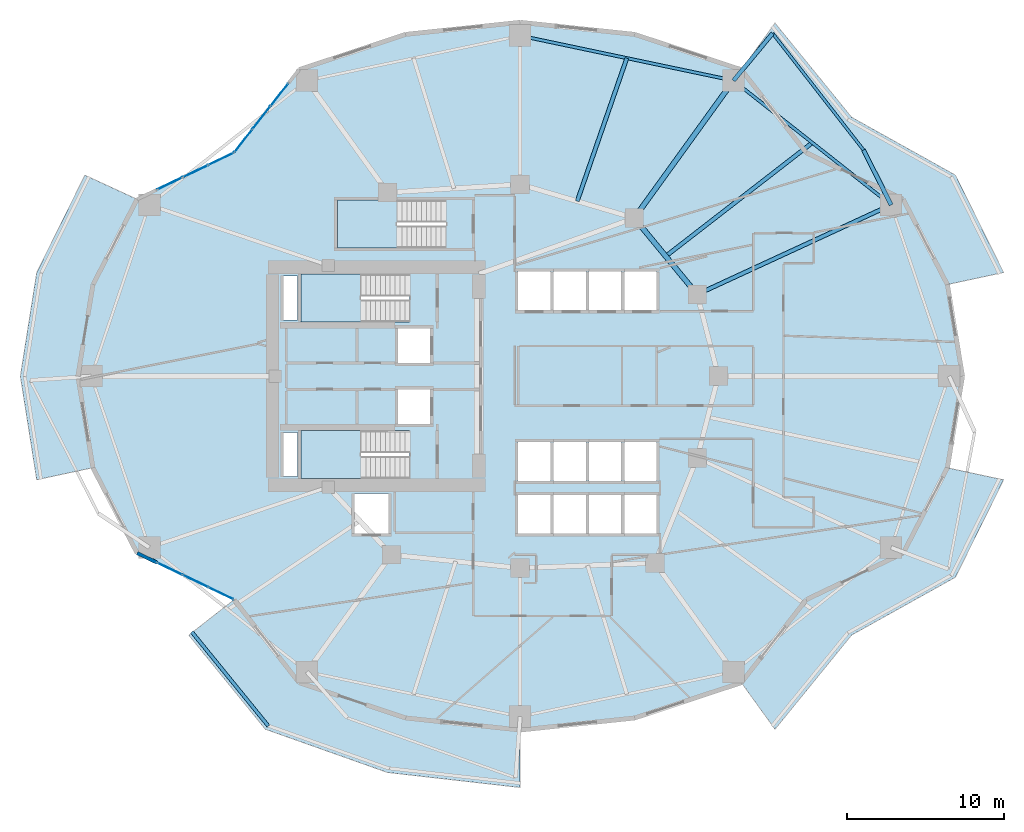
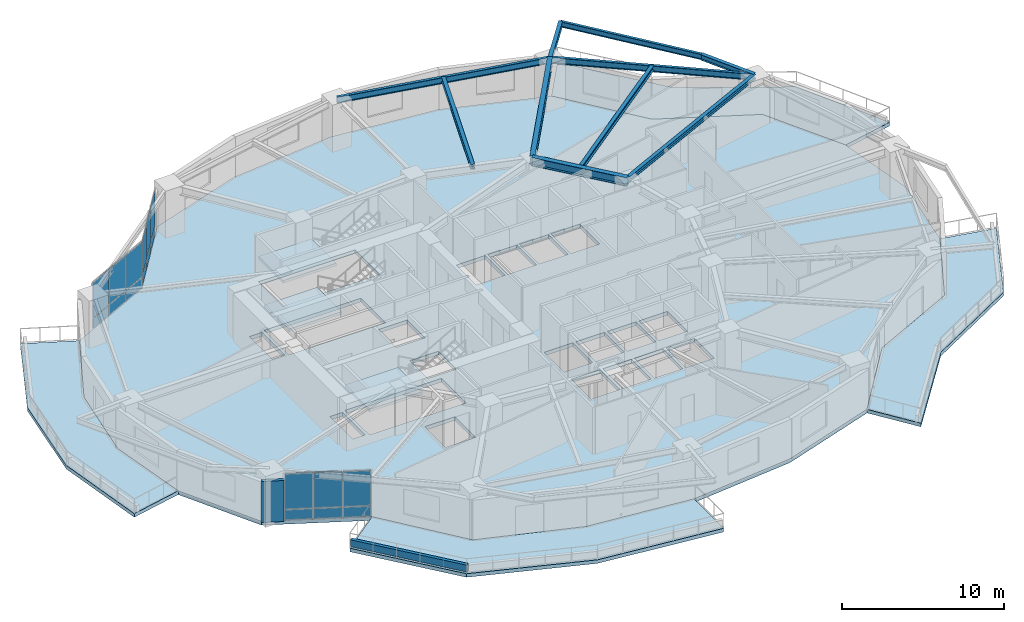
# One storey, part 5 of 14: 21 plates, 10 beams, 8 slabs, 2 walls, 6 elements without a shape of their own.
"""IFC4 building model written with IfcOpenShell, lengths in metres."""

import ifcopenshell
import ifcopenshell.guid

model = None  # the IFC model being written
_history = None  # IfcOwnerHistory: only IFC2X3 demands one
_inside = {}  # id of a spatial element -> (the spatial element, [elements in it])
_under = {}  # id of a project, library or spatial element -> (it, [spatial elements below it])
_declared = {}  # id of a project -> (the project, [libraries it declares])
_typed = {}  # id of a type object -> (the type object, [elements of that type])
_made_of = {}  # id of a material, layer set ... -> (it, [elements and type objects made of it])


def new_model(schema):
    """Start an empty IFC model of exactly this schema.

    Asked for "IFC4X3", IfcOpenShell would pick the latest addendum, in which some entities
    have other attributes; the version numbers below select the first issue.
    IFC2X3 requires an IfcOwnerHistory on every rooted entity: one is made here for all.
    """
    global model, _history
    if schema == "IFC4X3":
        model = ifcopenshell.file(schema_version=(4, 3, 0, 0))
    else:
        model = ifcopenshell.file(schema=schema)
    _inside.clear()
    _under.clear()
    _declared.clear()
    _typed.clear()
    _made_of.clear()
    _history = None
    if model.schema == "IFC2X3":
        org = make("IfcOrganization", Name="unknown")
        user = make(
            "IfcPersonAndOrganization",
            ThePerson=make("IfcPerson", FamilyName="unknown"),
            TheOrganization=org,
        )
        app = make(
            "IfcApplication",
            ApplicationDeveloper=org,
            Version="unknown",
            ApplicationFullName="unknown",
            ApplicationIdentifier="unknown",
        )
        _history = make(
            "IfcOwnerHistory",
            OwningUser=user,
            OwningApplication=app,
            ChangeAction="ADDED",
            CreationDate=0,
        )
    return model


def make(cls, **values):
    """One entity of the class cls with the attributes given. An attribute that is None is left unset."""
    return model.create_entity(
        cls, **{name: value for name, value in values.items() if value is not None}
    )


def rooted(cls, **values):
    """An entity with a GlobalId (a new one), such as an element, a storey or a relation."""
    return make(cls, GlobalId=ifcopenshell.guid.new(), OwnerHistory=_history, **values)


def si_unit(unit_type, name, prefix=None):
    """IfcSIUnit, for example si_unit("LENGTHUNIT", "METRE", prefix="MILLI")."""
    return make("IfcSIUnit", UnitType=unit_type, Prefix=prefix, Name=name)


def assignment(units):
    """IfcUnitAssignment: the units of a project."""
    return None if units is None else make("IfcUnitAssignment", Units=units)


def point(xyz):
    """IfcCartesianPoint."""
    return None if xyz is None else make("IfcCartesianPoint", Coordinates=xyz)


def direction(xyz):
    """IfcDirection."""
    return None if xyz is None else make("IfcDirection", DirectionRatios=xyz)


def frame(location, z_axis=None, x_axis=None):
    """IfcAxis2Placement3D, a coordinate frame: its origin and axes. An axis left out is left unset."""
    return make(
        "IfcAxis2Placement3D",
        Location=point(location),
        Axis=direction(z_axis),
        RefDirection=direction(x_axis),
    )


def frame_2d(location, x_axis=None):
    """IfcAxis2Placement2D, a coordinate frame in the plane: its origin and x axis."""
    return make(
        "IfcAxis2Placement2D", Location=point(location), RefDirection=direction(x_axis)
    )


def origin():
    """The frame at (0, 0, 0) with its axes left unset."""
    return frame((0.0, 0.0, 0.0))


def origin_2d():
    """The frame at (0, 0) in the plane with its x axis left unset."""
    return frame_2d((0.0, 0.0))


def place(relative_to, where):
    """IfcLocalPlacement: puts the frame where relative to a parent placement (None: the world)."""
    return make(
        "IfcLocalPlacement", PlacementRelTo=relative_to, RelativePlacement=where
    )


def context(
    kind, dimensions, precision=None, world=None, true_north=None, identifier=None
):
    """IfcGeometricRepresentationContext, for example the 3D "Model" context."""
    return make(
        "IfcGeometricRepresentationContext",
        ContextIdentifier=identifier,
        ContextType=kind,
        CoordinateSpaceDimension=dimensions,
        Precision=precision,
        WorldCoordinateSystem=world,
        TrueNorth=true_north,
    )


def subcontext(parent, identifier, kind, view, scale=None):
    """IfcGeometricRepresentationSubContext, for example "Body" below "Model"."""
    return make(
        "IfcGeometricRepresentationSubContext",
        ContextIdentifier=identifier,
        ContextType=kind,
        ParentContext=parent,
        TargetScale=scale,
        TargetView=view,
    )


def project(units=None, contexts=None):
    """IfcProject with its units and contexts."""
    return rooted(
        "IfcProject",
        Name="project",
        RepresentationContexts=contexts,
        UnitsInContext=assignment(units),
    )


def spatial(cls, under=None, at=None, **own):
    """A site, building, storey or space (cls), placed at a placement, below another one or the project."""
    s = rooted(cls, ObjectPlacement=at, **own)
    if under is not None:
        _under.setdefault(under.id(), (under, []))[1].append(s)
    return s


def polyline(points):
    """IfcPolyline through the points."""
    return make("IfcPolyline", Points=[point(p) for p in points])


def profile(cls, at=None, kind="AREA", **sizes):
    """A parametric profile (cls). Its sizes go by their IFC names, for example OverallWidth=200.0."""
    return make(cls, ProfileType=kind, Position=at, **sizes)


def rectangle(**sizes):
    """IfcRectangleProfileDef."""
    return profile("IfcRectangleProfileDef", **sizes)


def i_section(**sizes):
    """IfcIShapeProfileDef."""
    return profile("IfcIShapeProfileDef", **sizes)


def outline(outer, holes=None, kind="AREA"):
    """IfcArbitraryClosedProfileDef: a profile drawn as a closed curve; with holes, ...WithVoids."""
    if holes is None:
        return make("IfcArbitraryClosedProfileDef", ProfileType=kind, OuterCurve=outer)
    return make(
        "IfcArbitraryProfileDefWithVoids",
        ProfileType=kind,
        OuterCurve=outer,
        InnerCurves=holes,
    )


def extrude(swept, where, along, depth):
    """IfcExtrudedAreaSolid: the profile swept, set in the frame where, extruded along a direction by depth."""
    return make(
        "IfcExtrudedAreaSolid",
        SweptArea=swept,
        Position=where,
        ExtrudedDirection=direction(along),
        Depth=depth,
    )


def shape(context_of_items, identifier, shape_type, items):
    """IfcShapeRepresentation: the items that make up one representation, for example the "Body"."""
    return make(
        "IfcShapeRepresentation",
        ContextOfItems=context_of_items,
        RepresentationIdentifier=identifier,
        RepresentationType=shape_type,
        Items=items,
    )


def material(Name=None, Category=None):
    """IfcMaterial."""
    return make("IfcMaterial", Name=Name, Category=Category)


def layer(
    of_material, thickness, ventilated=None, Name=None, Category=None, Priority=None
):
    """IfcMaterialLayer: one layer of a wall or slab, of a material (None: an air gap)."""
    return make(
        "IfcMaterialLayer",
        Material=of_material,
        LayerThickness=thickness,
        IsVentilated=ventilated,
        Name=Name,
        Category=Category,
        Priority=Priority,
    )


def layer_set(layers, Name=None):
    """IfcMaterialLayerSet."""
    return make("IfcMaterialLayerSet", MaterialLayers=layers, LayerSetName=Name)


def material_profile(
    of_material, cross_section, Name=None, Category=None, Priority=None
):
    """IfcMaterialProfile: a cross section and its material."""
    return make(
        "IfcMaterialProfile",
        Name=Name,
        Material=of_material,
        Profile=cross_section,
        Priority=Priority,
        Category=Category,
    )


def profile_set(profiles, Name=None, composite=None):
    """IfcMaterialProfileSet."""
    return make(
        "IfcMaterialProfileSet",
        Name=Name,
        MaterialProfiles=profiles,
        CompositeProfile=composite,
    )


def made_of(thing, what):
    """Note that an element or type object is made of a material, layer set ...; save() writes the relation."""
    if what is not None:
        _made_of.setdefault(what.id(), (what, []))[1].append(thing)
    return thing


def type_object(cls, material=None, **own):
    """A type object (cls), such as IfcWallType, which elements share."""
    return made_of(rooted(cls, **own), material)


def element(
    cls,
    number,
    at=None,
    inside=None,
    cuts=None,
    type_object=None,
    material=None,
    context=None,
    identifier="Body",
    shape_type=None,
    held_by="IfcProductDefinitionShape",
    body=None,
    shapes=None,
    **own,
):
    """One element of the class cls, such as IfcWall. Its Tag is "e" and its number.

    at: its placement. inside: the storey or other place that contains it. cuts: it is an
    opening in that element (IfcRelVoidsElement). A single representation is given by context,
    identifier, shape_type and body (its items); several are given by shapes. held_by: the class
    of the entity that holds the representations. save() writes the other relations.
    """
    e = rooted(cls, Tag="e%d" % number, ObjectPlacement=at, **own)
    if body is not None:
        shapes = [shape(context, identifier, shape_type, body)]
    if shapes is not None:
        e.Representation = make(held_by, Representations=shapes)
    if inside is not None:
        _inside.setdefault(inside.id(), (inside, []))[1].append(e)
    if cuts is not None:
        rooted(
            "IfcRelVoidsElement", RelatingBuildingElement=cuts, RelatedOpeningElement=e
        )
    if type_object is not None:
        _typed.setdefault(type_object.id(), (type_object, []))[1].append(e)
    return made_of(e, material)


def aggregate(whole, parts):
    """IfcRelAggregates: a whole, such as a stair, and the parts it consists of."""
    return rooted("IfcRelAggregates", RelatingObject=whole, RelatedObjects=parts)


def save(model, path):
    """Write the relations noted so far, then the file.

    IfcRelAggregates (storeys below a building ...), IfcRelContainedInSpatialStructure (elements
    in a storey), IfcRelDefinesByType, IfcRelAssociatesMaterial and IfcRelDeclares: one each for
    every whole, place, type object, material and project.
    """
    for whole, parts in _under.values():
        aggregate(whole, parts)
    for where, things in _inside.values():
        rooted(
            "IfcRelContainedInSpatialStructure",
            RelatedElements=things,
            RelatingStructure=where,
        )
    for kind, things in _typed.values():
        rooted("IfcRelDefinesByType", RelatedObjects=things, RelatingType=kind)
    for what, things in _made_of.values():
        rooted("IfcRelAssociatesMaterial", RelatedObjects=things, RelatingMaterial=what)
    for by, libraries in _declared.values():
        rooted("IfcRelDeclares", RelatingContext=by, RelatedDefinitions=libraries)
    model.write(path)


model = new_model("IFC4")

# Units and contexts
model_context = context("Model", 3, precision=1e-05, world=origin(), true_north=direction((0.0, 1.0)))
body_context = subcontext(model_context, "Body", "Model", "MODEL_VIEW")
ifc_project = project(units=[si_unit("LENGTHUNIT", "METRE"), si_unit("AREAUNIT", "SQUARE_METRE"), si_unit("VOLUMEUNIT", "CUBIC_METRE"), si_unit("PLANEANGLEUNIT", "RADIAN"), si_unit("MASSUNIT", "GRAM", prefix="KILO")], contexts=[model_context])

# Site, building, storey
site_placement = place(None, origin())
site = spatial("IfcSite", under=ifc_project, at=site_placement, CompositionType="ELEMENT")
building_placement = place(site_placement, origin())
building = spatial("IfcBuilding", under=site, at=building_placement, Name="Kolvaren Gate Tower and Convention Centre", CompositionType="ELEMENT")
storey_placement = place(building_placement, frame((0.0, 0.0, 45.75)))
storey = spatial("IfcBuildingStorey", under=building, at=storey_placement, Name="L10", CompositionType="ELEMENT", Elevation=45.75)

# Beams
ifc_material_1 = material(Name="Structural steel ASTM A992 Grade 345 MPa", Category="steel")
ifc_material_profile_1 = material_profile(ifc_material_1, i_section(OverallWidth=0.260009765625, OverallDepth=0.419921875, WebThickness=0.013427734375, FlangeThickness=0.0224609375, at=origin_2d()), Name="W410X132")
ifc_profile_set_1 = profile_set([ifc_material_profile_1], Name="Structural steel ASTM A992 Grade 345 MPa")
beam_type_1 = type_object("IfcBeamType", Name="STR-BM-W410X132", PredefinedType="BEAM", material=ifc_profile_set_1)
beam_1_placement = place(storey_placement, frame((53.710205078125, 37.8935546875, 3.360595703125), z_axis=(-0.448264934313, 0.893900748778, 0.0), x_axis=(-0.893900748778, -0.448264934313, 0.0)))
element("IfcBeam", 1, at=beam_1_placement, inside=storey, type_object=beam_type_1, Name="Tower L11 Planted Balcony Outrigger Cantilever BC-1A", PredefinedType="BEAM", context=body_context, shape_type="SweptSolid", body=[
    extrude(i_section(OverallWidth=0.260009765625, OverallDepth=0.419921875, WebThickness=0.013427734375, FlangeThickness=0.0224609375, at=origin_2d()), origin(), (0.0, 0.0, 1.0), 3.900146484375),
])
beam_2_placement = place(storey_placement, frame((43.690185546875, 45.79638671875, 3.360595703125), z_axis=(0.637866192119, 0.770147207326, 0.0), x_axis=(-0.770147207326, 0.637866192119, 0.0)))
element("IfcBeam", 2, at=beam_2_placement, inside=storey, type_object=beam_type_1, Name="Tower L11 Planted Balcony Outrigger Cantilever BC-1B", PredefinedType="BEAM", context=body_context, shape_type="SweptSolid", body=[
    extrude(i_section(OverallWidth=0.260009765625, OverallDepth=0.419921875, WebThickness=0.013427734375, FlangeThickness=0.0224609375, at=origin_2d()), origin(), (0.0, 0.0, 1.0), 3.89990234375),
])
ifc_material_profile_2 = material_profile(ifc_material_1, i_section(OverallWidth=0.327880859375, OverallDepth=0.6279296875, WebThickness=0.0166015625, FlangeThickness=0.027587890625, at=origin_2d()), Name="W610X217")
ifc_profile_set_2 = profile_set([ifc_material_profile_2], Name="Structural steel ASTM A992 Grade 345 MPa")
beam_type_2 = type_object("IfcBeamType", Name="STR-BM-W610X217", PredefinedType="BEAM", material=ifc_profile_set_2)
beam_3_placement = place(storey_placement, frame((41.382080078125, 32.199462890625, 3.256103515625), z_axis=(-0.635884066011, 0.771784590798, 0.0), x_axis=(-0.771784590798, -0.635884066011, 0.0)))
element("IfcBeam", 3, at=beam_3_placement, inside=storey, type_object=beam_type_2, Name="Tower L10 Primary Ring Girder G-02", PredefinedType="BEAM", context=body_context, shape_type="SweptSolid", body=[
    extrude(i_section(OverallWidth=0.327880859375, OverallDepth=0.6279296875, WebThickness=0.0166015625, FlangeThickness=0.027587890625, at=origin_2d()), origin(), (0.0, 0.0, 1.0), 6.291259765625),
])
beam_4_placement = place(storey_placement, frame((37.381591796875, 37.054931640625, 3.256103515625), z_axis=(0.585205244783, 0.81088520857, 0.0), x_axis=(-0.81088520857, 0.585205244783, 0.0)))
element("IfcBeam", 4, at=beam_4_placement, inside=storey, type_object=beam_type_2, Name="Tower L10 Radial Floor Girder RB-03", PredefinedType="BEAM", context=body_context, shape_type="SweptSolid", body=[
    extrude(i_section(OverallWidth=0.327880859375, OverallDepth=0.6279296875, WebThickness=0.0166015625, FlangeThickness=0.027587890625, at=origin_2d()), origin(), (0.0, 0.0, 1.0), 10.780029296875),
])
ifc_material_profile_3 = material_profile(ifc_material_1, i_section(OverallWidth=0.2548828125, OverallDepth=0.35693359375, WebThickness=0.010498046875, FlangeThickness=0.018310546875, at=origin_2d()), Name="W360X101")
ifc_profile_set_3 = profile_set([ifc_material_profile_3], Name="Structural steel ASTM A992 Grade 345 MPa")
beam_type_3 = type_object("IfcBeamType", Name="STR-JS-W360X101", PredefinedType="JOIST", material=ifc_profile_set_3)
beam_5_placement = place(storey_placement, frame((41.382080078125, 32.199462890625, 3.3916015625), z_axis=(0.907842006347, 0.419312403241, 0.0), x_axis=(-0.419312403241, 0.907842006347, 0.0)))
element("IfcBeam", 5, at=beam_5_placement, inside=storey, type_object=beam_type_3, Name="Tower L10 Radial Floor Girder RB-02", PredefinedType="JOIST", context=body_context, shape_type="SweptSolid", body=[
    extrude(i_section(OverallWidth=0.2548828125, OverallDepth=0.35693359375, WebThickness=0.010498046875, FlangeThickness=0.018310546875, at=origin_2d()), origin(), (0.0, 0.0, 1.0), 13.57958984375),
])
beam_6_placement = place(storey_placement, frame((39.3818359375, 34.627197265625, 3.3916015625), z_axis=(0.790577493994, 0.612362005671, 0.0), x_axis=(-0.612362005671, 0.790577493994, 0.0)))
element("IfcBeam", 6, at=beam_6_placement, inside=storey, type_object=beam_type_3, Name="Tower L10 Secondary Composite Floor Joist J-02.1", PredefinedType="JOIST", context=body_context, shape_type="SweptSolid", body=[
    extrude(i_section(OverallWidth=0.2548828125, OverallDepth=0.35693359375, WebThickness=0.010498046875, FlangeThickness=0.018310546875, at=origin_2d()), origin(), (0.0, 0.0, 1.0), 11.786865234375),
])
beam_7_placement = place(storey_placement, frame((33.75341796875, 38.12744140625, 3.3916015625), z_axis=(0.327647050942, 0.944800195813, 0.0), x_axis=(-0.944800195813, 0.327647050942, 0.0)))
element("IfcBeam", 7, at=beam_7_placement, inside=storey, type_object=beam_type_3, Name="Tower L10 Secondary Composite Floor Joist J-03.1", PredefinedType="JOIST", context=body_context, shape_type="SweptSolid", body=[
    extrude(i_section(OverallWidth=0.2548828125, OverallDepth=0.35693359375, WebThickness=0.010498046875, FlangeThickness=0.018310546875, at=origin_2d()), origin(), (0.0, 0.0, 1.0), 9.627197265625),
])
ifc_material_profile_4 = material_profile(ifc_material_1, i_section(OverallWidth=0.180908203125, OverallDepth=0.4169921875, WebThickness=0.010986328125, FlangeThickness=0.018310546875, at=origin_2d()), Name="W410X85")
ifc_profile_set_4 = profile_set([ifc_material_profile_4], Name="Structural steel ASTM A992 Grade 345 MPa")
beam_type_4 = type_object("IfcBeamType", Name="STR-SP-W410X85", PredefinedType="SPANDREL", material=ifc_profile_set_4)
beam_8_placement = place(storey_placement, frame((51.9619140625, 41.3798828125, 3.362060546875), z_axis=(-0.614809768984, 0.788675438924, 0.0), x_axis=(-0.788675438924, -0.614809768984, 0.0)))
element("IfcBeam", 8, at=beam_8_placement, inside=storey, type_object=beam_type_4, Name="Tower L11 Planted Balcony Header Tie Beam BT-1", PredefinedType="SPANDREL", context=body_context, shape_type="SweptSolid", body=[
    extrude(i_section(OverallWidth=0.180908203125, OverallDepth=0.4169921875, WebThickness=0.010986328125, FlangeThickness=0.018310546875, at=origin_2d()), origin(), (0.0, 0.0, 1.0), 9.407958984375),
])
ifc_material_profile_5 = material_profile(ifc_material_1, i_section(OverallWidth=0.194091796875, OverallDepth=0.468994140625, WebThickness=0.0126953125, FlangeThickness=0.0205078125, at=origin_2d()), Name="W460X106")
ifc_profile_set_5 = profile_set([ifc_material_profile_5], Name="Structural steel ASTM A992 Grade 345 MPa")
beam_type_5 = type_object("IfcBeamType", Name="STR-SP-W460X106", PredefinedType="SPANDREL", material=ifc_profile_set_5)
beam_9_placement = place(storey_placement, frame((53.710205078125, 37.8935546875, 3.33544921875), z_axis=(-0.785176498861, 0.619272044933, 0.0), x_axis=(-0.619272044933, -0.785176498861, 0.0)))
element("IfcBeam", 9, at=beam_9_placement, inside=storey, type_object=beam_type_5, Name="Tower L10 Perimeter Spandrel Beam SP-02", PredefinedType="SPANDREL", context=body_context, shape_type="SweptSolid", body=[
    extrude(i_section(OverallWidth=0.194091796875, OverallDepth=0.468994140625, WebThickness=0.0126953125, FlangeThickness=0.0205078125, at=origin_2d()), origin(), (0.0, 0.0, 1.0), 12.761474609375),
])
beam_10_placement = place(storey_placement, frame((43.690185546875, 45.79638671875, 3.33544921875), z_axis=(-0.978583407863, 0.205850707685, 0.0), x_axis=(-0.205850707685, -0.978583407863, 0.0)))
element("IfcBeam", 10, at=beam_10_placement, inside=storey, type_object=beam_type_5, Name="Tower L10 Perimeter Spandrel Beam SP-03", PredefinedType="SPANDREL", context=body_context, shape_type="SweptSolid", body=[
    extrude(i_section(OverallWidth=0.194091796875, OverallDepth=0.468994140625, WebThickness=0.0126953125, FlangeThickness=0.0205078125, at=origin_2d()), origin(), (0.0, 0.0, 1.0), 13.862060546875),
])

# Plates
ifc_material_2 = material(Name="Perforated Anodized Bronze Aluminium Sheet 6 mm", Category="aluminium")
ifc_layer_1 = layer(ifc_material_2, 0.011962890625)
ifc_layer_set_1 = layer_set([ifc_layer_1], Name="Perforated Anodized Bronze Aluminium Sheet 6 mm")
plate_type_1 = type_object("IfcPlateType", Name="ARCH-PL-SCREEN-PERF", PredefinedType="SHEET", material=ifc_layer_set_1)
for number, where, z_axis, x_axis, name in (
    (11, (13.99853515625, 43.84912109375, 2.72998046875), (0.0, 0.0, 1.0), (0.616424499081, 0.787414018756, 0.0), "Tower L10 Perforated Bronze Solar Screen SS-08"),
    (12, (8.851318359375, 39.7314453125, 2.72998046875), (0.0, 0.0, 1.0), (0.90136443672, 0.433061372343, 0.0), "Tower L10 Perforated Bronze Solar Screen SS-09"),
    (13, (8.851318359375, 14.2685546875, 2.72998046875), (0.0, 0.0, 1.0), (0.90136443672, -0.433061372343, 0.0), "Tower L10 Perforated Bronze Solar Screen SS-14"),
):
    element("IfcPlate", number, at=place(storey_placement, frame(where, z_axis=z_axis, x_axis=x_axis)), inside=storey, type_object=plate_type_1, Name=name, PredefinedType="SHEET", context=body_context, shape_type="SweptSolid", body=[
        extrude(rectangle(XDim=2.60009765625, YDim=0.011962890625, at=origin_2d()), origin(), (0.0, 0.0, 1.0), 0.840087890625),
    ])

# Curtain wall, plates
ifc_material_3 = material(Name="Anodized Architectural Aluminium Alloy 6063-T6", Category="aluminium")
ifc_layer_2 = layer(ifc_material_3, 0.159912109375)
ifc_layer_set_2 = layer_set([ifc_layer_2], Name="Anodized Architectural Aluminium Alloy 6063-T6")
curtain_wall_type = type_object("IfcCurtainWallType", Name="CW-OFF-UNIT", PredefinedType="NOTDEFINED", material=ifc_layer_set_2)
curtain_wall_1_placement = place(storey_placement, origin())
curtain_wall_1 = element("IfcCurtainWall", 14, at=curtain_wall_1_placement, inside=storey, type_object=curtain_wall_type, Name="Tower L10 Unitised Curtain Wall CW-OFF-UNIT Bay 08", PredefinedType="NOTDEFINED")
ifc_material_4 = material(Name="Low-E Triple Insulated Glazing Unit 44 mm", Category="glass")
ifc_layer_3 = layer(ifc_material_4, 0.0439453125)
ifc_layer_set_3 = layer_set([ifc_layer_3], Name="Low-E Triple Insulated Glazing Unit 44 mm")
plate_type_2 = type_object("IfcPlateType", Name="CW-PL-IGU-44", PredefinedType="CURTAIN_PANEL", material=ifc_layer_set_3)
plate_1_placement = place(storey_placement, frame((12.522216796875, 41.963134765625, 0.882568359375), z_axis=(0.0, 0.0, 1.0), x_axis=(0.616421003276, 0.787416755422, 0.0)))
plate_1 = element("IfcPlate", 15, at=plate_1_placement, type_object=plate_type_2, Name="CW-02 panel 1.2", PredefinedType="CURTAIN_PANEL", context=body_context, shape_type="SweptSolid", body=[
    extrude(rectangle(XDim=1.77587890625, YDim=0.0439453125, at=origin_2d()), origin(), (0.0, 0.0, 1.0), 2.62255859375),
])
plate_2_placement = place(storey_placement, frame((13.666748046875, 43.425537109375, 0.882568359375), z_axis=(0.0, 0.0, 1.0), x_axis=(0.616421003276, 0.787416755422, 0.0)))
plate_2 = element("IfcPlate", 16, at=plate_2_placement, type_object=plate_type_2, Name="CW-02 panel 2.2", PredefinedType="CURTAIN_PANEL", context=body_context, shape_type="SweptSolid", body=[
    extrude(rectangle(XDim=1.808349609375, YDim=0.0439453125, at=origin_2d()), origin(), (0.0, 0.0, 1.0), 2.62255859375),
])
plate_3_placement = place(storey_placement, frame((14.8115234375, 44.8876953125, 0.882568359375), z_axis=(0.0, 0.0, 1.0), x_axis=(0.616421003276, 0.787416755422, 0.0)))
plate_3 = element("IfcPlate", 17, at=plate_3_placement, type_object=plate_type_2, Name="CW-02 panel 3.2", PredefinedType="CURTAIN_PANEL", context=body_context, shape_type="SweptSolid", body=[
    extrude(rectangle(XDim=1.77587890625, YDim=0.0439453125, at=origin_2d()), origin(), (0.0, 0.0, 1.0), 2.62255859375),
])

curtain_wall_2_placement = place(storey_placement, origin())
curtain_wall_2 = element("IfcCurtainWall", 18, at=curtain_wall_2_placement, inside=storey, type_object=curtain_wall_type, Name="Tower L10 Unitised Curtain Wall CW-OFF-UNIT Bay 09", PredefinedType="NOTDEFINED")
plate_4_placement = place(storey_placement, frame((7.84765625, 39.249267578125, 0.882568359375), z_axis=(0.0, 0.0, 1.0), x_axis=(0.901366679942, 0.433056703319, 0.0)))
plate_4 = element("IfcPlate", 19, at=plate_4_placement, type_object=plate_type_2, Name="CW-02 panel 1.2", PredefinedType="CURTAIN_PANEL", context=body_context, shape_type="SweptSolid", body=[
    extrude(rectangle(XDim=1.72265625, YDim=0.0439453125, at=origin_2d()), origin(), (0.0, 0.0, 1.0), 2.62255859375),
])
plate_5_placement = place(storey_placement, frame((9.4736328125, 40.030517578125, 0.882568359375), z_axis=(0.0, 0.0, 1.0), x_axis=(0.901366679942, 0.433056703319, 0.0)))
plate_5 = element("IfcPlate", 20, at=plate_5_placement, type_object=plate_type_2, Name="CW-02 panel 2.2", PredefinedType="CURTAIN_PANEL", context=body_context, shape_type="SweptSolid", body=[
    extrude(rectangle(XDim=1.755126953125, YDim=0.0439453125, at=origin_2d()), origin(), (0.0, 0.0, 1.0), 2.62255859375),
])
plate_6_placement = place(storey_placement, frame((11.099853515625, 40.811767578125, 0.882568359375), z_axis=(0.0, 0.0, 1.0), x_axis=(0.901366679942, 0.433056703319, 0.0)))
plate_6 = element("IfcPlate", 21, at=plate_6_placement, type_object=plate_type_2, Name="CW-02 panel 3.2", PredefinedType="CURTAIN_PANEL", context=body_context, shape_type="SweptSolid", body=[
    extrude(rectangle(XDim=1.72265625, YDim=0.0439453125, at=origin_2d()), origin(), (0.0, 0.0, 1.0), 2.62255859375),
])

curtain_wall_3_placement = place(storey_placement, origin())
curtain_wall_3 = element("IfcCurtainWall", 22, at=curtain_wall_3_placement, inside=storey, type_object=curtain_wall_type, Name="Tower L10 Unitised Curtain Wall CW-OFF-UNIT Bay 14", PredefinedType="NOTDEFINED")
plate_7_placement = place(storey_placement, frame((7.84765625, 14.750732421875, 0.882568359375), z_axis=(0.0, 0.0, 1.0), x_axis=(0.901366679942, -0.433056703319, 0.0)))
plate_7 = element("IfcPlate", 23, at=plate_7_placement, type_object=plate_type_2, Name="CW-02 panel 1.2", PredefinedType="CURTAIN_PANEL", context=body_context, shape_type="SweptSolid", body=[
    extrude(rectangle(XDim=1.72265625, YDim=0.0439453125, at=origin_2d()), origin(), (0.0, 0.0, 1.0), 2.62255859375),
])
plate_8_placement = place(storey_placement, frame((9.4736328125, 13.969482421875, 0.882568359375), z_axis=(0.0, 0.0, 1.0), x_axis=(0.901366679942, -0.433056703319, 0.0)))
plate_8 = element("IfcPlate", 24, at=plate_8_placement, type_object=plate_type_2, Name="CW-02 panel 2.2", PredefinedType="CURTAIN_PANEL", context=body_context, shape_type="SweptSolid", body=[
    extrude(rectangle(XDim=1.755126953125, YDim=0.0439453125, at=origin_2d()), origin(), (0.0, 0.0, 1.0), 2.62255859375),
])
plate_9_placement = place(storey_placement, frame((11.099853515625, 13.188232421875, 0.882568359375), z_axis=(0.0, 0.0, 1.0), x_axis=(0.901366679942, -0.433056703319, 0.0)))
plate_9 = element("IfcPlate", 25, at=plate_9_placement, type_object=plate_type_2, Name="CW-02 panel 3.2", PredefinedType="CURTAIN_PANEL", context=body_context, shape_type="SweptSolid", body=[
    extrude(rectangle(XDim=1.72265625, YDim=0.0439453125, at=origin_2d()), origin(), (0.0, 0.0, 1.0), 2.62255859375),
])

# Plate
ifc_material_5 = material(Name="Solar-Control Laminated Curtain Glazing 36 mm", Category="glass")
ifc_layer_4 = layer(ifc_material_5, 0.035888671875)
ifc_layer_set_4 = layer_set([ifc_layer_4], Name="Solar-Control Laminated Curtain Glazing 36 mm")
plate_type_3 = type_object("IfcPlateType", Name="CW-PL-SPAN-36", PredefinedType="CURTAIN_PANEL", material=ifc_layer_set_4)
plate_10_placement = place(storey_placement, frame((12.522216796875, 41.963134765625, 0.06494140625), z_axis=(0.0, 0.0, 1.0), x_axis=(0.616421003276, 0.787416755422, 0.0)))
plate_10 = element("IfcPlate", 26, at=plate_10_placement, type_object=plate_type_3, Name="CW-02 panel 1.1", PredefinedType="CURTAIN_PANEL", context=body_context, shape_type="SweptSolid", body=[
    extrude(rectangle(XDim=1.77587890625, YDim=0.035888671875, at=origin_2d()), origin(), (0.0, 0.0, 1.0), 0.75244140625),
])

plate_11_placement = place(storey_placement, frame((13.666748046875, 43.425537109375, 0.06494140625), z_axis=(0.0, 0.0, 1.0), x_axis=(0.616421003276, 0.787416755422, 0.0)))
plate_11 = element("IfcPlate", 27, at=plate_11_placement, type_object=plate_type_3, Name="CW-02 panel 2.1", PredefinedType="CURTAIN_PANEL", context=body_context, shape_type="SweptSolid", body=[
    extrude(rectangle(XDim=1.808349609375, YDim=0.035888671875, at=origin_2d()), origin(), (0.0, 0.0, 1.0), 0.75244140625),
])

plate_12_placement = place(storey_placement, frame((14.8115234375, 44.8876953125, 0.06494140625), z_axis=(0.0, 0.0, 1.0), x_axis=(0.616421003276, 0.787416755422, 0.0)))
plate_12 = element("IfcPlate", 28, at=plate_12_placement, type_object=plate_type_3, Name="CW-02 panel 3.1", PredefinedType="CURTAIN_PANEL", context=body_context, shape_type="SweptSolid", body=[
    extrude(rectangle(XDim=1.77587890625, YDim=0.035888671875, at=origin_2d()), origin(), (0.0, 0.0, 1.0), 0.75244140625),
])

aggregate(curtain_wall_1, [plate_10, plate_1, plate_11, plate_2, plate_12, plate_3])

plate_13_placement = place(storey_placement, frame((7.84765625, 39.249267578125, 0.06494140625), z_axis=(0.0, 0.0, 1.0), x_axis=(0.901366679942, 0.433056703319, 0.0)))
plate_13 = element("IfcPlate", 29, at=plate_13_placement, type_object=plate_type_3, Name="CW-02 panel 1.1", PredefinedType="CURTAIN_PANEL", context=body_context, shape_type="SweptSolid", body=[
    extrude(rectangle(XDim=1.72265625, YDim=0.035888671875, at=origin_2d()), origin(), (0.0, 0.0, 1.0), 0.75244140625),
])

plate_14_placement = place(storey_placement, frame((9.4736328125, 40.030517578125, 0.06494140625), z_axis=(0.0, 0.0, 1.0), x_axis=(0.901366679942, 0.433056703319, 0.0)))
plate_14 = element("IfcPlate", 30, at=plate_14_placement, type_object=plate_type_3, Name="CW-02 panel 2.1", PredefinedType="CURTAIN_PANEL", context=body_context, shape_type="SweptSolid", body=[
    extrude(rectangle(XDim=1.755126953125, YDim=0.035888671875, at=origin_2d()), origin(), (0.0, 0.0, 1.0), 0.75244140625),
])

plate_15_placement = place(storey_placement, frame((11.099853515625, 40.811767578125, 0.06494140625), z_axis=(0.0, 0.0, 1.0), x_axis=(0.901366679942, 0.433056703319, 0.0)))
plate_15 = element("IfcPlate", 31, at=plate_15_placement, type_object=plate_type_3, Name="CW-02 panel 3.1", PredefinedType="CURTAIN_PANEL", context=body_context, shape_type="SweptSolid", body=[
    extrude(rectangle(XDim=1.72265625, YDim=0.035888671875, at=origin_2d()), origin(), (0.0, 0.0, 1.0), 0.75244140625),
])

aggregate(curtain_wall_2, [plate_13, plate_4, plate_14, plate_5, plate_15, plate_6])

plate_16_placement = place(storey_placement, frame((7.84765625, 14.750732421875, 0.06494140625), z_axis=(0.0, 0.0, 1.0), x_axis=(0.901366679942, -0.433056703319, 0.0)))
plate_16 = element("IfcPlate", 32, at=plate_16_placement, type_object=plate_type_3, Name="CW-02 panel 1.1", PredefinedType="CURTAIN_PANEL", context=body_context, shape_type="SweptSolid", body=[
    extrude(rectangle(XDim=1.72265625, YDim=0.035888671875, at=origin_2d()), origin(), (0.0, 0.0, 1.0), 0.75244140625),
])

plate_17_placement = place(storey_placement, frame((9.4736328125, 13.969482421875, 0.06494140625), z_axis=(0.0, 0.0, 1.0), x_axis=(0.901366679942, -0.433056703319, 0.0)))
plate_17 = element("IfcPlate", 33, at=plate_17_placement, type_object=plate_type_3, Name="CW-02 panel 2.1", PredefinedType="CURTAIN_PANEL", context=body_context, shape_type="SweptSolid", body=[
    extrude(rectangle(XDim=1.755126953125, YDim=0.035888671875, at=origin_2d()), origin(), (0.0, 0.0, 1.0), 0.75244140625),
])

plate_18_placement = place(storey_placement, frame((11.099853515625, 13.188232421875, 0.06494140625), z_axis=(0.0, 0.0, 1.0), x_axis=(0.901366679942, -0.433056703319, 0.0)))
plate_18 = element("IfcPlate", 34, at=plate_18_placement, type_object=plate_type_3, Name="CW-02 panel 3.1", PredefinedType="CURTAIN_PANEL", context=body_context, shape_type="SweptSolid", body=[
    extrude(rectangle(XDim=1.72265625, YDim=0.035888671875, at=origin_2d()), origin(), (0.0, 0.0, 1.0), 0.75244140625),
])

aggregate(curtain_wall_3, [plate_16, plate_7, plate_17, plate_8, plate_18, plate_9])

# Slabs
ifc_material_6 = material(Name="Concrete C50/60", Category="concrete")
ifc_layer_5 = layer(ifc_material_6, 0.27001953125)
ifc_layer_set_5 = layer_set([ifc_layer_5], Name="Concrete C50/60")
slab_type_1 = type_object("IfcSlabType", Name="STR-SL-BALC-270", PredefinedType="FLOOR", material=ifc_layer_set_5)
slab_1_placement = place(storey_placement, frame((0.0, 0.0, -0.27001953125)))
element("IfcSlab", 35, at=slab_1_placement, inside=storey, type_object=slab_type_1, Name="Tower L10 Planted Balcony Terrace Slab 1 (East)", PredefinedType="FLOOR", context=body_context, shape_type="SweptSolid", body=[
    extrude(outline(polyline([(57.291748046875, 32.823486328125), (54.48193359375, 38.25), (48.315185546875, 41.212890625), (44.1875, 46.485595703125), (46.329345703125, 49.453369140625), (51.19921875, 43.46630859375), (57.8046875, 39.78466796875), (60.870361328125, 33.590576171875), (57.291748046875, 32.823486328125)])), origin(), (0.0, 0.0, 1.0), 0.27001953125),
])
slab_2_placement = place(storey_placement, frame((0.0, 0.0, -0.27001953125)))
element("IfcSlab", 36, at=slab_2_placement, inside=storey, type_object=slab_type_1, Name="Tower L10 Planted Balcony Terrace Slab 2 (West)", PredefinedType="FLOOR", context=body_context, shape_type="SweptSolid", body=[
    extrude(outline(polyline([(5.76806640625, 38.25), (2.958251953125, 32.823486328125), (2.0, 27.0), (2.958251953125, 21.176513671875), (-0.620361328125, 20.409423828125), (-1.659912109375, 27.0), (-0.620361328125, 33.590576171875), (2.4453125, 39.78466796875), (5.76806640625, 38.25)])), origin(), (0.0, 0.0, 1.0), 0.27001953125),
])
slab_3_placement = place(storey_placement, frame((0.0, 0.0, -0.27001953125)))
element("IfcSlab", 37, at=slab_3_placement, inside=storey, type_object=slab_type_1, Name="Tower L10 Planted Balcony Terrace Slab 3 (South)", PredefinedType="FLOOR", context=body_context, shape_type="SweptSolid", body=[
    extrude(outline(polyline([(11.934814453125, 12.787109375), (16.0625, 7.514404296875), (22.845703125, 5.2666015625), (30.125, 4.5), (30.125, 0.840087890625), (21.683349609375, 1.796142578125), (13.920654296875, 4.546630859375), (9.05078125, 10.53369140625), (11.934814453125, 12.787109375)])), origin(), (0.0, 0.0, 1.0), 0.27001953125),
])
slab_4_placement = place(storey_placement, frame((0.0, 0.0, -0.27001953125)))
element("IfcSlab", 38, at=slab_4_placement, inside=storey, type_object=slab_type_1, Name="Tower L10 Planted Balcony Terrace Slab 4 (East)", PredefinedType="FLOOR", context=body_context, shape_type="SweptSolid", body=[
    extrude(outline(polyline([(44.1875, 7.514404296875), (48.315185546875, 12.787109375), (54.48193359375, 15.75), (57.291748046875, 21.176513671875), (60.870361328125, 20.409423828125), (57.8046875, 14.21533203125), (51.19921875, 10.53369140625), (46.329345703125, 4.546630859375), (44.1875, 7.514404296875)])), origin(), (0.0, 0.0, 1.0), 0.27001953125),
])
ifc_layer_6 = layer(ifc_material_6, 0.280029296875)
ifc_layer_set_6 = layer_set([ifc_layer_6], Name="Concrete C50/60")
slab_type_2 = type_object("IfcSlabType", Name="STR-SL-FLR-280", PredefinedType="FLOOR", material=ifc_layer_set_6)
slab_5_placement = place(storey_placement, frame((0.0, 0.0, -0.280029296875)))
element("IfcSlab", 39, at=slab_5_placement, inside=storey, type_object=slab_type_2, Name="Tower L10 Structural Floor Slab", PredefinedType="FLOOR", context=body_context, shape_type="SweptSolid", body=[
    extrude(outline(polyline([(58.25, 27.0), (57.291748046875, 32.823486328125), (54.48193359375, 38.25), (48.315185546875, 41.212890625), (44.1875, 46.485595703125), (37.404296875, 48.7333984375), (30.125, 49.5), (22.845703125, 48.7333984375), (16.0625, 46.485595703125), (11.934814453125, 41.212890625), (5.76806640625, 38.25), (2.958251953125, 32.823486328125), (2.0, 27.0), (2.958251953125, 21.176513671875), (5.76806640625, 15.75), (11.934814453125, 12.787109375), (16.0625, 7.514404296875), (22.845703125, 5.2666015625), (30.125, 4.5), (37.404296875, 5.2666015625), (44.1875, 7.514404296875), (48.315185546875, 12.787109375), (54.48193359375, 15.75), (57.291748046875, 21.176513671875), (58.25, 27.0)]), holes=[polyline([(36.75, 33.64990234375), (38.800048828125, 33.64990234375), (38.800048828125, 31.199951171875), (36.75, 31.199951171875), (36.75, 33.64990234375)]), polyline([(36.75, 20.35009765625), (36.75, 22.800048828125), (38.800048828125, 22.800048828125), (38.800048828125, 20.35009765625), (36.75, 20.35009765625)]), polyline([(36.75, 17.0), (36.75, 19.449951171875), (38.800048828125, 19.449951171875), (38.800048828125, 17.0), (36.75, 17.0)]), polyline([(34.5, 33.64990234375), (36.550048828125, 33.64990234375), (36.550048828125, 31.199951171875), (34.5, 31.199951171875), (34.5, 33.64990234375)]), polyline([(34.5, 22.800048828125), (36.550048828125, 22.800048828125), (36.550048828125, 20.35009765625), (34.5, 20.35009765625), (34.5, 22.800048828125)]), polyline([(34.5, 17.0), (34.5, 19.449951171875), (36.550048828125, 19.449951171875), (36.550048828125, 17.0), (34.5, 17.0)]), polyline([(32.25, 31.199951171875), (32.25, 33.64990234375), (34.300048828125, 33.64990234375), (34.300048828125, 31.199951171875), (32.25, 31.199951171875)]), polyline([(32.25, 22.800048828125), (34.300048828125, 22.800048828125), (34.300048828125, 20.35009765625), (32.25, 20.35009765625), (32.25, 22.800048828125)]), polyline([(32.25, 17.0), (32.25, 19.449951171875), (34.300048828125, 19.449951171875), (34.300048828125, 17.0), (32.25, 17.0)]), polyline([(30.0, 31.199951171875), (30.0, 33.64990234375), (32.050048828125, 33.64990234375), (32.050048828125, 31.199951171875), (30.0, 31.199951171875)]), polyline([(30.0, 20.35009765625), (30.0, 22.800048828125), (32.050048828125, 22.800048828125), (32.050048828125, 20.35009765625), (30.0, 20.35009765625)]), polyline([(30.0, 17.0), (30.0, 19.449951171875), (32.050048828125, 19.449951171875), (32.050048828125, 17.0), (30.0, 17.0)]), polyline([(25.39990234375, 35.159912109375), (18.5, 35.159912109375), (18.5, 38.199951171875), (25.39990234375, 38.199951171875), (25.39990234375, 35.159912109375)]), polyline([(22.35009765625, 27.840087890625), (22.35009765625, 30.0400390625), (24.39990234375, 30.0400390625), (24.39990234375, 27.840087890625), (22.35009765625, 27.840087890625)]), polyline([(22.35009765625, 23.9599609375), (22.35009765625, 26.159912109375), (24.39990234375, 26.159912109375), (24.39990234375, 23.9599609375), (22.35009765625, 23.9599609375)]), polyline([(23.10009765625, 30.4599609375), (16.199951171875, 30.4599609375), (16.199951171875, 33.5), (23.10009765625, 33.5), (23.10009765625, 30.4599609375)]), polyline([(23.10009765625, 20.5), (16.199951171875, 20.5), (16.199951171875, 23.5400390625), (23.10009765625, 23.5400390625), (23.10009765625, 20.5)]), polyline([(19.60009765625, 17.0), (19.60009765625, 19.550048828125), (21.75, 19.550048828125), (21.75, 17.0), (19.60009765625, 17.0)]), polyline([(15.080078125, 23.419921875), (15.969970703125, 23.419921875), (15.969970703125, 20.6298828125), (15.080078125, 20.6298828125), (15.080078125, 23.419921875)]), polyline([(15.080078125, 30.580078125), (15.080078125, 33.3701171875), (15.969970703125, 33.3701171875), (15.969970703125, 30.580078125), (15.080078125, 30.580078125)])]), origin(), (0.0, 0.0, 1.0), 0.280029296875),
])

# Stair, slab
stair_type = type_object("IfcStairType", Name="STR-STAIR-CORE", PredefinedType="HALF_TURN_STAIR", material=ifc_material_6)
stair_1_placement = place(storey_placement, origin())
stair_1 = element("IfcStair", 40, at=stair_1_placement, inside=storey, type_object=stair_type, Name="L10 Tower North Exit Stair ST-T1", PredefinedType="HALF_TURN_STAIR")
ifc_layer_7 = layer(ifc_material_6, 0.199951171875)
ifc_layer_set_7 = layer_set([ifc_layer_7], Name="Concrete C50/60")
slab_type_3 = type_object("IfcSlabType", Name="STR-SL-LAND-200", PredefinedType="LANDING", material=ifc_layer_set_7)
slab_6_placement = place(storey_placement, frame((0.0, 0.0, 1.72509765625)))
slab_6 = element("IfcSlab", 41, at=slab_6_placement, type_object=slab_type_3, Name="ST-T1 landing 1", PredefinedType="LANDING", context=body_context, shape_type="SweptSolid", body=[
    extrude(outline(polyline([(20.0, 33.5), (16.199951171875, 33.5), (16.199951171875, 30.4599609375), (20.0, 30.4599609375), (20.0, 33.5)])), origin(), (0.0, 0.0, 1.0), 0.199951171875),
])
aggregate(stair_1, [slab_6])

stair_2_placement = place(storey_placement, origin())
stair_2 = element("IfcStair", 42, at=stair_2_placement, inside=storey, type_object=stair_type, Name="L10 Tower South Exit Stair ST-T2", PredefinedType="HALF_TURN_STAIR")
slab_7_placement = place(storey_placement, frame((0.0, 0.0, 1.72509765625)))
slab_7 = element("IfcSlab", 43, at=slab_7_placement, type_object=slab_type_3, Name="ST-T2 landing 1", PredefinedType="LANDING", context=body_context, shape_type="SweptSolid", body=[
    extrude(outline(polyline([(20.0, 23.5400390625), (16.199951171875, 23.5400390625), (16.199951171875, 20.5), (20.0, 20.5), (20.0, 23.5400390625)])), origin(), (0.0, 0.0, 1.0), 0.199951171875),
])
aggregate(stair_2, [slab_7])

stair_3_placement = place(storey_placement, origin())
stair_3 = element("IfcStair", 44, at=stair_3_placement, inside=storey, type_object=stair_type, Name="L10 Tower Mid-Zone Exit Stair ST-T3", PredefinedType="HALF_TURN_STAIR")
slab_8_placement = place(storey_placement, frame((0.0, 0.0, 1.72509765625)))
slab_8 = element("IfcSlab", 45, at=slab_8_placement, type_object=slab_type_3, Name="ST-T3 landing 1", PredefinedType="LANDING", context=body_context, shape_type="SweptSolid", body=[
    extrude(outline(polyline([(22.300048828125, 38.199951171875), (18.5, 38.199951171875), (18.5, 35.159912109375), (22.300048828125, 35.159912109375), (22.300048828125, 38.199951171875)])), origin(), (0.0, 0.0, 1.0), 0.199951171875),
])
aggregate(stair_3, [slab_8])

# Walls
ifc_material_7 = material(Name="Bogota Sabana Bush-Hammered Sandstone Cladding", Category="masonry")
ifc_layer_8 = layer(ifc_material_7, 0.219970703125)
ifc_layer_set_8 = layer_set([ifc_layer_8], Name="Bogota Sabana Bush-Hammered Sandstone Cladding")
wall_type_1 = type_object("IfcWallType", Name="ARCH-WL-PIER-220", PredefinedType="SOLIDWALL", material=ifc_layer_set_8)
wall_1_placement = place(storey_placement, frame((5.76806640625, 15.75, 0.0), z_axis=(0.0, 0.0, 1.0), x_axis=(0.90131879969, -0.433156347438, 0.0)))
element("IfcWall", 46, at=wall_1_placement, inside=storey, type_object=wall_type_1, Name="Tower L10 Unitised Curtain Wall CW-OFF-UNIT Bay 14 Left Column Pier Wrap", PredefinedType="SOLIDWALL", context=body_context, shape_type="SweptSolid", body=[
    extrude(rectangle(XDim=1.380859375, YDim=0.219970703125, at=frame_2d((0.6904296875, 0.0))), origin(), (0.0, 0.0, 1.0), 3.093017578125),
])
ifc_material_8 = material(Name="Piedmont Cream Honed Limestone Cladding", Category="masonry")
ifc_layer_9 = layer(ifc_material_8, 0.219970703125)
ifc_layer_set_9 = layer_set([ifc_layer_9], Name="Piedmont Cream Honed Limestone Cladding")
wall_type_2 = type_object("IfcWallType", Name="ARCH-WL-PLANTER-220", PredefinedType="PARAPET", material=ifc_layer_set_9)
wall_2_placement = place(storey_placement, frame((9.244384765625, 10.736083984375, 0.0), z_axis=(0.0, 0.0, 1.0), x_axis=(0.630997450658, -0.775784903993, 0.0)))
element("IfcWall", 47, at=wall_2_placement, inside=storey, type_object=wall_type_2, Name="Vertical-Forest Balcony Stone Planter Kerb PK-L10-3.1", PredefinedType="PARAPET", context=body_context, shape_type="SweptSolid", body=[
    extrude(rectangle(XDim=7.7177734375, YDim=0.219970703125, at=frame_2d((3.85888671875, 0.0))), origin(), (0.0, 0.0, 1.0), 0.52001953125),
])

save(model, "model.ifc")
